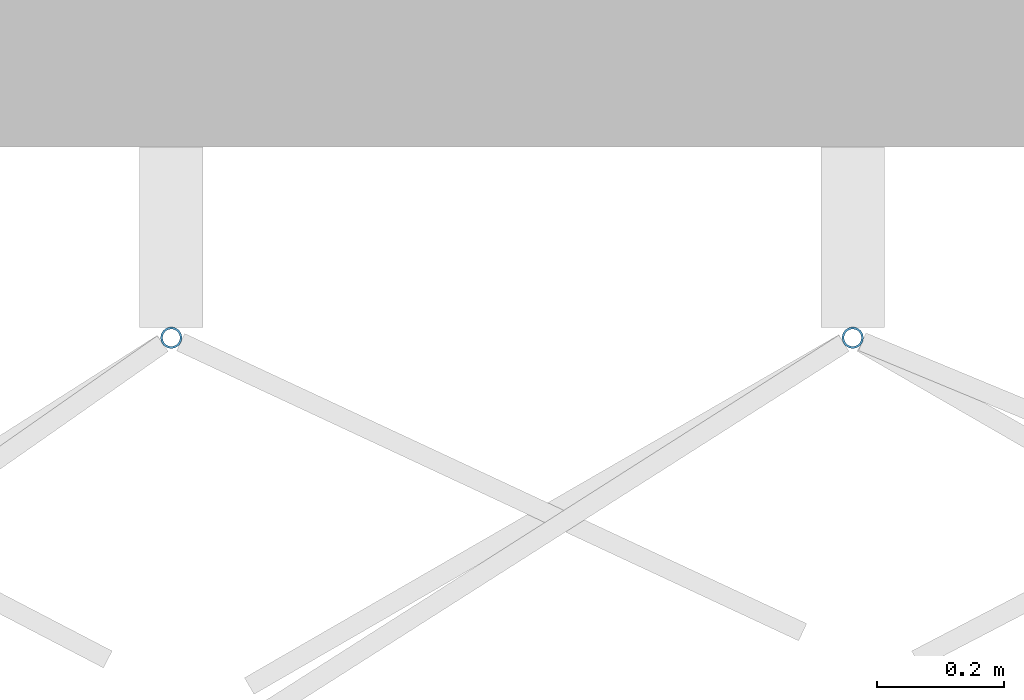
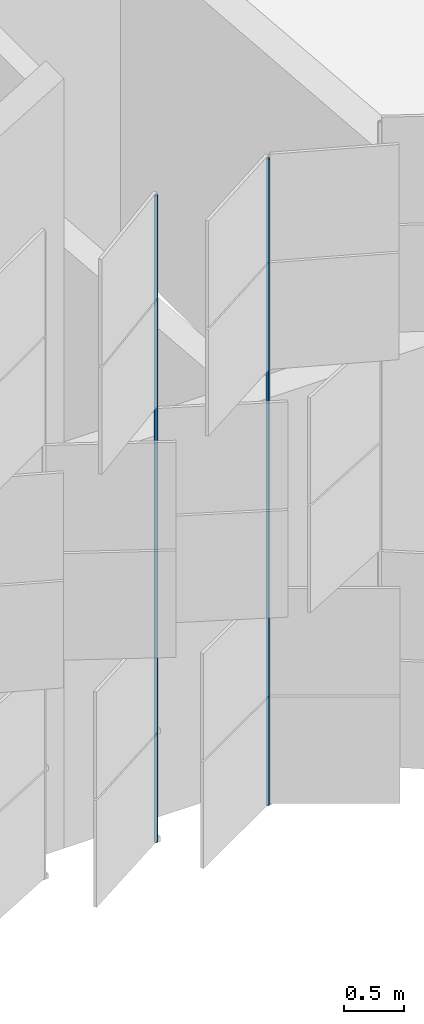
# One storey, part 215 of 483: 2 discrete accessories.
"""IFC4 building model written with IfcOpenShell, lengths in metres."""

from ifc_helpers import new_model, si_unit, direction, frame, origin, origin_2d, place, context, subcontext, project, spatial, hollow_circle, extrude, material, material_profile, profile_set, type_object, element, save


model = new_model("IFC4")

# Units and contexts
model_context = context("Model", 3, precision=1e-05, world=origin(), true_north=direction((0.0, 1.0)))
body_context = subcontext(model_context, "Body", "Model", "MODEL_VIEW")
ifc_project = project(units=[si_unit("LENGTHUNIT", "METRE"), si_unit("AREAUNIT", "SQUARE_METRE"), si_unit("VOLUMEUNIT", "CUBIC_METRE"), si_unit("PLANEANGLEUNIT", "RADIAN"), si_unit("MASSUNIT", "GRAM", prefix="KILO")], contexts=[model_context])

# Site, building, storey
site_placement = place(None, origin())
site = spatial("IfcSite", under=ifc_project, at=site_placement, CompositionType="ELEMENT")
building_placement = place(site_placement, origin())
building = spatial("IfcBuilding", under=site, at=building_placement, Name="Parallax Yard Mobility Hub", CompositionType="ELEMENT")
storey_placement = place(building_placement, frame((0.0, 0.0, 13.199951171875)))
storey = spatial("IfcBuildingStorey", under=building, at=storey_placement, Name="L04", CompositionType="ELEMENT", Elevation=13.199951171875)

# Discrete accessories
ifc_material = material(Name="Steel ASTM A500 Gr C, hot-dip galvanised", Category="steel")
ifc_material_profile = material_profile(ifc_material, hollow_circle(Radius=0.016845703125, WallThickness=0.003173828125, at=origin_2d()), Name="CHS 33.7x3.2")
ifc_profile_set = profile_set([ifc_material_profile], Name="Steel ASTM A500 Gr C, hot-dip galvanised")
discrete_accessory_type = type_object("IfcDiscreteAccessoryType", Name="Hinge post CHS 33.7x3.2", PredefinedType="BRACKET", material=ifc_profile_set)
for number, where, z_axis, x_axis, name in (
    (1, (138.209228515625, 112.199951171875, 0.0), (0.0, 0.0, 1.0), (1.0, 0.0, 0.0), "Hinge post bay 13.11 level L04"),
    (2, (139.281494140625, 112.199951171875, 0.0), (0.0, 0.0, 1.0), (1.0, 0.0, 0.0), "Hinge post bay 13.12 level L04"),
):
    element("IfcDiscreteAccessory", number, at=place(storey_placement, frame(where, z_axis=z_axis, x_axis=x_axis)), inside=storey, type_object=discrete_accessory_type, Name=name, PredefinedType="BRACKET", context=body_context, shape_type="SweptSolid", body=[
        extrude(hollow_circle(Radius=0.016845703125, WallThickness=0.003173828125, at=origin_2d()), origin(), (0.0, 0.0, 1.0), 6.550048828125),
    ])

save(model, "model.ifc")
